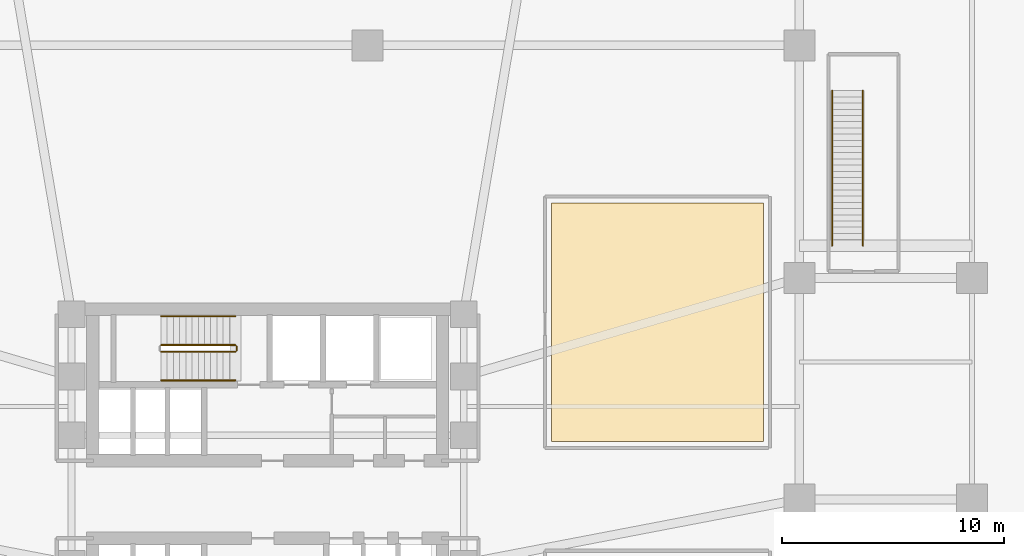
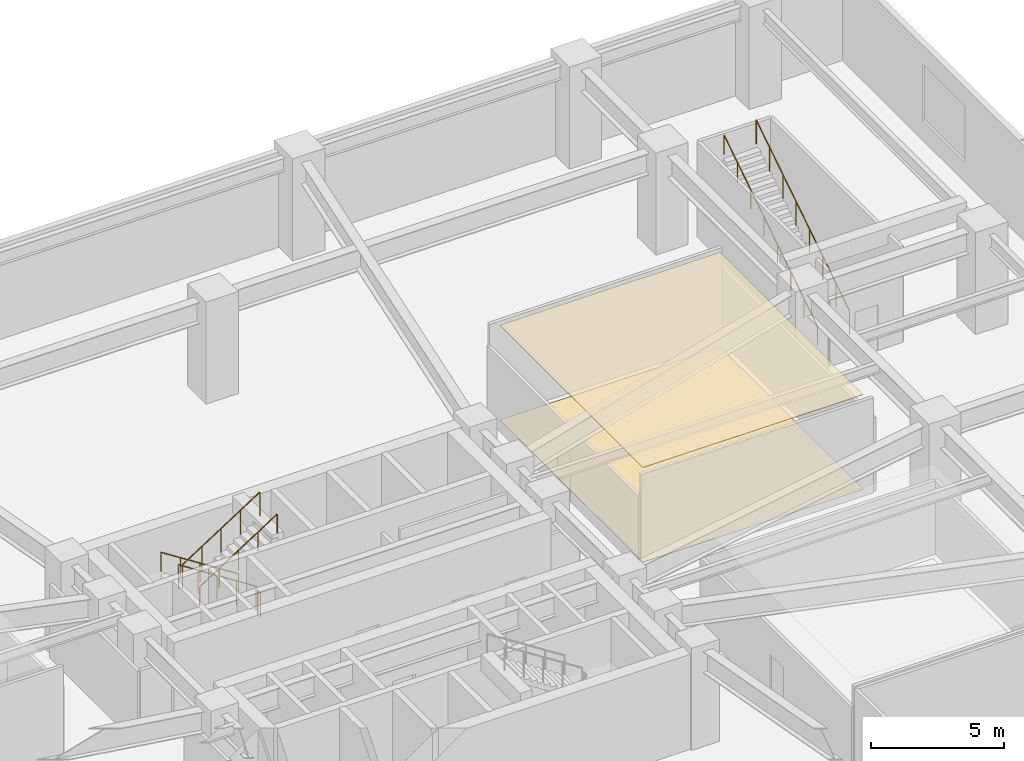
# One storey, part 11 of 12: 7 railings, 2 coverings.
"""IFC4 building model written with IfcOpenShell, lengths in metres."""

from ifc_helpers import new_model, si_unit, direction, frame, origin, origin_2d, place, context, subcontext, project, spatial, polyline, circle, outline, extrude, material, layer, layer_set, type_object, element, save


model = new_model("IFC4")

# Units and contexts
model_context = context("Model", 3, precision=1e-05, world=origin(), true_north=direction((0.0, 1.0)))
body_context = subcontext(model_context, "Body", "Model", "MODEL_VIEW")
ifc_project = project(units=[si_unit("LENGTHUNIT", "METRE"), si_unit("AREAUNIT", "SQUARE_METRE"), si_unit("VOLUMEUNIT", "CUBIC_METRE"), si_unit("PLANEANGLEUNIT", "RADIAN"), si_unit("MASSUNIT", "GRAM", prefix="KILO")], contexts=[model_context])

# Site, building, storey
site_placement = place(None, origin())
site = spatial("IfcSite", under=ifc_project, at=site_placement, CompositionType="ELEMENT")
building_placement = place(site_placement, origin())
building = spatial("IfcBuilding", under=site, at=building_placement, Name="Solmarez Civic Tower", CompositionType="ELEMENT")
storey_placement = place(building_placement, frame((0.0, 0.0, 5.39990234375)))
storey = spatial("IfcBuildingStorey", under=building, at=storey_placement, Name="L01", CompositionType="ELEMENT", Elevation=5.39990234375)

# Coverings
ifc_material_1 = material(Name="Perforated Mineral-Fibre Acoustic Ceiling")
ifc_layer_1 = layer(ifc_material_1, 0.02490234375)
ifc_layer_set_1 = layer_set([ifc_layer_1], Name="Perforated Mineral-Fibre Acoustic Ceiling")
covering_type_1 = type_object("IfcCoveringType", Name="COV-CEIL-ACOUSTIC", PredefinedType="CEILING", material=ifc_layer_set_1)
covering_1_placement = place(storey_placement, frame((0.0, 0.0, 4.335205078125)))
element("IfcCovering", 1, at=covering_1_placement, inside=storey, type_object=covering_type_1, Name="L01 Suspended Acoustic Ceiling 1", PredefinedType="CEILING", context=body_context, shape_type="SweptSolid", body=[
    extrude(outline(polyline([(22.3798828125, 2.6201171875), (22.3798828125, 13.3798828125), (12.820068359375, 13.3798828125), (12.820068359375, 2.6201171875), (22.3798828125, 2.6201171875)])), origin(), (0.0, 0.0, 1.0), 0.02490234375),
])
ifc_material_2 = material(Name="Polished Tropical Stone Terrazzo Flooring", Category="masonry")
ifc_layer_2 = layer(ifc_material_2, 0.02001953125)
ifc_layer_set_2 = layer_set([ifc_layer_2], Name="Polished Tropical Stone Terrazzo Flooring")
covering_type_2 = type_object("IfcCoveringType", Name="COV-FLOOR-TERRAZZO", PredefinedType="FLOORING", material=ifc_layer_set_2)
covering_2_placement = place(storey_placement, origin())
element("IfcCovering", 2, at=covering_2_placement, inside=storey, type_object=covering_type_2, Name="L01 Terrazzo Floor Finish 1", PredefinedType="FLOORING", context=body_context, shape_type="SweptSolid", body=[
    extrude(outline(polyline([(22.3798828125, 2.6201171875), (22.3798828125, 13.3798828125), (12.820068359375, 13.3798828125), (12.820068359375, 2.6201171875), (22.3798828125, 2.6201171875)])), origin(), (0.0, 0.0, 1.0), 0.02001953125),
])

# Railings
ifc_material_3 = material(Name="Painted Steel Stairwell Safety Guard", Category="steel")
railing_type_1 = type_object("IfcRailingType", Name="GUARD-STAIR-1120", PredefinedType="BALUSTRADE", material=ifc_material_3)
railing_1_placement = place(storey_placement, frame((-1.449951171875, 6.969970703125, 0.18017578125)))
element("IfcRailing", 3, at=railing_1_placement, inside=storey, type_object=railing_type_1, Name="L01 ST-1 stair guard 1", PredefinedType="BALUSTRADE", context=body_context, shape_type="SweptSolid", body=[
    extrude(circle(Radius=0.02392578125, at=origin_2d()), frame((0.0, 0.0, 1.09619140625), z_axis=(-0.84119634759, 0.0, 0.540729789082), x_axis=(0.0, -1.0, 0.0)), (0.0, 0.0, 1.0), 3.994384765625),
    extrude(circle(Radius=0.02099609375, at=origin_2d()), origin(), (0.0, 0.0, 1.0), 1.072021484375),
    extrude(circle(Radius=0.02099609375, at=origin_2d()), frame((-0.840087890625, 0.0, 0.5400390625)), (0.0, 0.0, 1.0), 1.072021484375),
    extrude(circle(Radius=0.02099609375, at=origin_2d()), frame((-1.68017578125, 0.0, 1.080078125)), (0.0, 0.0, 1.0), 1.072021484375),
    extrude(circle(Radius=0.02099609375, at=origin_2d()), frame((-2.52001953125, 0.0, 1.619873046875)), (0.0, 0.0, 1.0), 1.072021484375),
    extrude(circle(Radius=0.02099609375, at=origin_2d()), frame((-3.360107421875, 0.0, 2.159912109375)), (0.0, 0.0, 1.0), 1.072021484375),
])
railing_2_placement = place(storey_placement, frame((-4.81005859375, 6.669921875, 2.52001953125)))
element("IfcRailing", 4, at=railing_2_placement, inside=storey, type_object=railing_type_1, Name="L01 ST-1 stair guard 3", PredefinedType="BALUSTRADE", context=body_context, shape_type="SweptSolid", body=[
    extrude(circle(Radius=0.02392578125, at=origin_2d()), frame((0.0, 0.0, 1.09619140625), z_axis=(0.8411685463, 0.0, 0.540773036232), x_axis=(0.0, 1.0, 0.0)), (0.0, 0.0, 1.0), 3.99462890625),
    extrude(circle(Radius=0.02099609375, at=origin_2d()), origin(), (0.0, 0.0, 1.0), 1.072021484375),
    extrude(circle(Radius=0.02099609375, at=origin_2d()), frame((0.840087890625, 0.0, 0.5400390625)), (0.0, 0.0, 1.0), 1.072021484375),
    extrude(circle(Radius=0.02099609375, at=origin_2d()), frame((1.68017578125, 0.0, 1.080078125)), (0.0, 0.0, 1.0), 1.072021484375),
    extrude(circle(Radius=0.02099609375, at=origin_2d()), frame((2.52001953125, 0.0, 1.6201171875)), (0.0, 0.0, 1.0), 1.072021484375),
    extrude(circle(Radius=0.02099609375, at=origin_2d()), frame((3.360107421875, 0.0, 2.16015625)), (0.0, 0.0, 1.0), 1.072021484375),
])
railing_3_placement = place(storey_placement, frame((-1.39990234375, 6.919921875, 0.0)))
element("IfcRailing", 5, at=railing_3_placement, inside=storey, type_object=railing_type_1, Name="L01 ST-1 stair guard 4", PredefinedType="BALUSTRADE", context=body_context, shape_type="SweptSolid", body=[
    extrude(circle(Radius=0.02392578125, at=origin_2d()), frame((0.0, 0.0, 1.09619140625), z_axis=(0.0, -1.0, 0.0), x_axis=(1.0, 0.0, 0.0)), (0.0, 0.0, 1.0), 0.199951171875),
    extrude(circle(Radius=0.02099609375, at=origin_2d()), origin(), (0.0, 0.0, 1.0), 1.072021484375),
    extrude(circle(Radius=0.02099609375, at=origin_2d()), frame((0.0, -0.199951171875, 0.0)), (0.0, 0.0, 1.0), 1.072021484375),
])
railing_4_placement = place(storey_placement, frame((26.8701171875, 11.449951171875, 0.18017578125)))
element("IfcRailing", 6, at=railing_4_placement, inside=storey, type_object=railing_type_1, Name="L01 Stair ST-P4 Flight Guard", PredefinedType="BALUSTRADE", context=body_context, shape_type="SweptSolid", body=[
    extrude(circle(Radius=0.02392578125, at=origin_2d()), frame((0.0, 0.0, 1.09619140625), z_axis=(0.0, 0.841178475377, 0.540757591313), x_axis=(-1.0, 0.0, 0.0)), (0.0, 0.0, 1.0), 8.32177734375),
    extrude(circle(Radius=0.02099609375, at=origin_2d()), origin(), (0.0, 0.0, 1.0), 1.072021484375),
    extrude(circle(Radius=0.02099609375, at=origin_2d()), frame((0.0, 1.0, 0.642822265625)), (0.0, 0.0, 1.0), 1.072021484375),
    extrude(circle(Radius=0.02099609375, at=origin_2d()), frame((0.0, 2.0, 1.28564453125)), (0.0, 0.0, 1.0), 1.072021484375),
    extrude(circle(Radius=0.02099609375, at=origin_2d()), frame((0.0, 3.0, 1.928466796875)), (0.0, 0.0, 1.0), 1.072021484375),
    extrude(circle(Radius=0.02099609375, at=origin_2d()), frame((0.0, 4.0, 2.571533203125)), (0.0, 0.0, 1.0), 1.072021484375),
    extrude(circle(Radius=0.02099609375, at=origin_2d()), frame((0.0, 5.0, 3.21435546875)), (0.0, 0.0, 1.0), 1.072021484375),
    extrude(circle(Radius=0.02099609375, at=origin_2d()), frame((0.0, 6.0, 3.857177734375)), (0.0, 0.0, 1.0), 1.072021484375),
    extrude(circle(Radius=0.02099609375, at=origin_2d()), frame((0.0, 7.0, 4.5)), (0.0, 0.0, 1.0), 1.072021484375),
])
ifc_material_4 = material(Name="Brushed Stainless Steel Tube Handrail", Category="steel")
railing_type_2 = type_object("IfcRailingType", Name="HANDRAIL-STAIR-900", PredefinedType="HANDRAIL", material=ifc_material_4)
railing_5_placement = place(storey_placement, frame((-1.449951171875, 8.27001953125, 0.18017578125)))
element("IfcRailing", 7, at=railing_5_placement, inside=storey, type_object=railing_type_2, Name="L01 ST-1 stair handrail 1", PredefinedType="HANDRAIL", context=body_context, shape_type="SweptSolid", body=[
    extrude(circle(Radius=0.02392578125, at=origin_2d()), frame((0.0, 0.0, 0.8759765625), z_axis=(-0.84119634759, 0.0, 0.540729789082), x_axis=(0.0, -1.0, 0.0)), (0.0, 0.0, 1.0), 3.994384765625),
    extrude(circle(Radius=0.02099609375, at=origin_2d()), origin(), (0.0, 0.0, 1.0), 0.851806640625),
    extrude(circle(Radius=0.02099609375, at=origin_2d()), frame((-0.840087890625, 0.0, 0.5400390625)), (0.0, 0.0, 1.0), 0.851806640625),
    extrude(circle(Radius=0.02099609375, at=origin_2d()), frame((-1.68017578125, 0.0, 1.080078125)), (0.0, 0.0, 1.0), 0.851806640625),
    extrude(circle(Radius=0.02099609375, at=origin_2d()), frame((-2.52001953125, 0.0, 1.619873046875)), (0.0, 0.0, 1.0), 0.851806640625),
    extrude(circle(Radius=0.02099609375, at=origin_2d()), frame((-3.360107421875, 0.0, 2.159912109375)), (0.0, 0.0, 1.0), 0.851806640625),
])
railing_6_placement = place(storey_placement, frame((-4.81005859375, 5.3701171875, 2.52001953125)))
element("IfcRailing", 8, at=railing_6_placement, inside=storey, type_object=railing_type_2, Name="L01 ST-1 stair handrail 2", PredefinedType="HANDRAIL", context=body_context, shape_type="SweptSolid", body=[
    extrude(circle(Radius=0.02392578125, at=origin_2d()), frame((0.0, 0.0, 0.8759765625), z_axis=(0.8411685463, 0.0, 0.540773036232), x_axis=(0.0, 1.0, 0.0)), (0.0, 0.0, 1.0), 3.99462890625),
    extrude(circle(Radius=0.02099609375, at=origin_2d()), origin(), (0.0, 0.0, 1.0), 0.851806640625),
    extrude(circle(Radius=0.02099609375, at=origin_2d()), frame((0.840087890625, 0.0, 0.5400390625)), (0.0, 0.0, 1.0), 0.851806640625),
    extrude(circle(Radius=0.02099609375, at=origin_2d()), frame((1.68017578125, 0.0, 1.080078125)), (0.0, 0.0, 1.0), 0.851806640625),
    extrude(circle(Radius=0.02099609375, at=origin_2d()), frame((2.52001953125, 0.0, 1.6201171875)), (0.0, 0.0, 1.0), 0.851806640625),
    extrude(circle(Radius=0.02099609375, at=origin_2d()), frame((3.360107421875, 0.0, 2.16015625)), (0.0, 0.0, 1.0), 0.851806640625),
])
railing_7_placement = place(storey_placement, frame((25.47998046875, 11.449951171875, 0.18017578125)))
element("IfcRailing", 9, at=railing_7_placement, inside=storey, type_object=railing_type_2, Name="L01 Stair ST-P4 Handrail", PredefinedType="HANDRAIL", context=body_context, shape_type="SweptSolid", body=[
    extrude(circle(Radius=0.02392578125, at=origin_2d()), frame((0.0, 0.0, 0.8759765625), z_axis=(0.0, 0.841178475377, 0.540757591313), x_axis=(-1.0, 0.0, 0.0)), (0.0, 0.0, 1.0), 8.32177734375),
    extrude(circle(Radius=0.02099609375, at=origin_2d()), origin(), (0.0, 0.0, 1.0), 0.851806640625),
    extrude(circle(Radius=0.02099609375, at=origin_2d()), frame((0.0, 1.0, 0.642822265625)), (0.0, 0.0, 1.0), 0.851806640625),
    extrude(circle(Radius=0.02099609375, at=origin_2d()), frame((0.0, 2.0, 1.28564453125)), (0.0, 0.0, 1.0), 0.851806640625),
    extrude(circle(Radius=0.02099609375, at=origin_2d()), frame((0.0, 3.0, 1.928466796875)), (0.0, 0.0, 1.0), 0.851806640625),
    extrude(circle(Radius=0.02099609375, at=origin_2d()), frame((0.0, 4.0, 2.571533203125)), (0.0, 0.0, 1.0), 0.851806640625),
    extrude(circle(Radius=0.02099609375, at=origin_2d()), frame((0.0, 5.0, 3.21435546875)), (0.0, 0.0, 1.0), 0.851806640625),
    extrude(circle(Radius=0.02099609375, at=origin_2d()), frame((0.0, 6.0, 3.857177734375)), (0.0, 0.0, 1.0), 0.851806640625),
    extrude(circle(Radius=0.02099609375, at=origin_2d()), frame((0.0, 7.0, 4.5)), (0.0, 0.0, 1.0), 0.851806640625),
])

save(model, "model.ifc")
